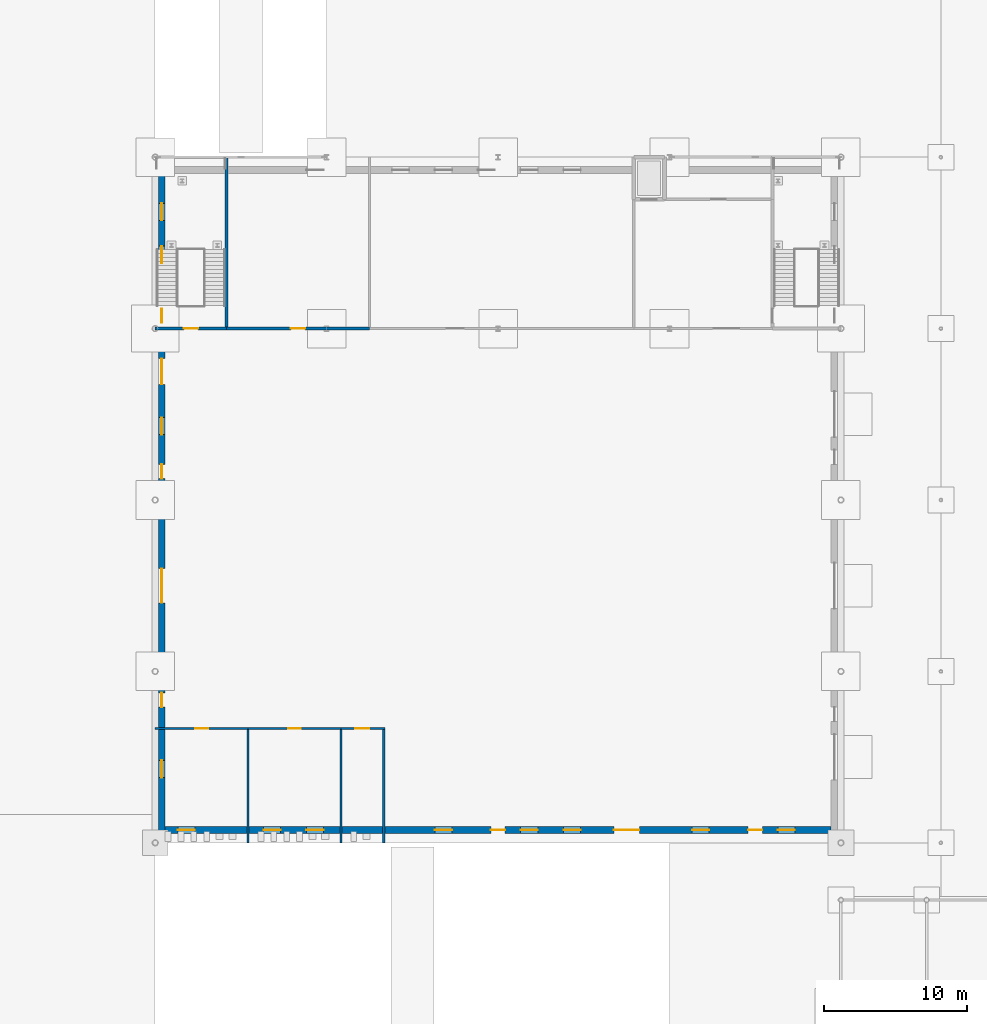
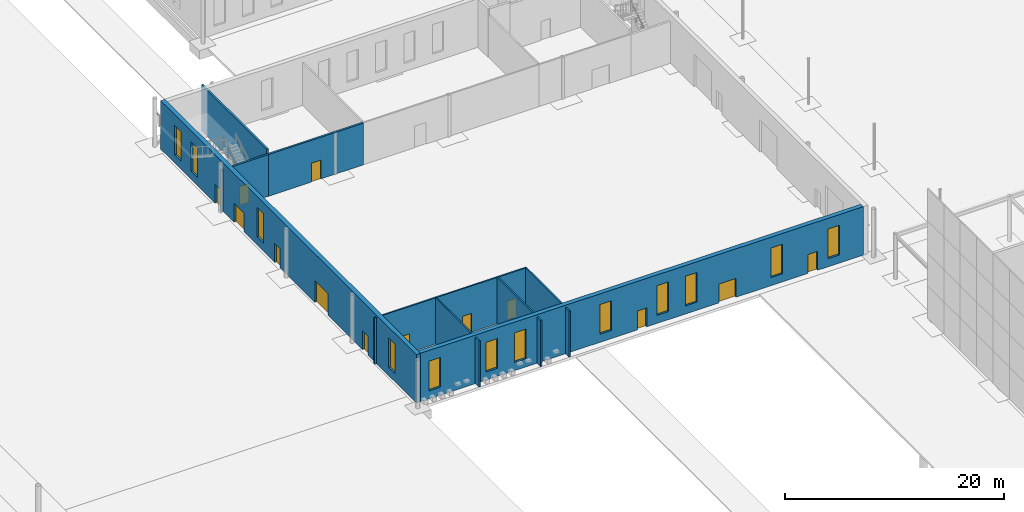
# One storey, part 68 of 132: 13 doors, 12 windows, 11 walls, 25 openings.
"""IFC4 building model written with IfcOpenShell, lengths in metres."""

from ifc_helpers import new_model, si_unit, direction, frame, frame_2d, origin, place, context, subcontext, project, spatial, rectangle, extrude, material, layer, layer_set, type_object, element, fill, save


model = new_model("IFC4")

# Units and contexts
model_context = context("Model", 3, precision=1e-05, world=origin(), true_north=direction((0.0, 1.0)))
body_context = subcontext(model_context, "Body", "Model", "MODEL_VIEW")
ifc_project = project(units=[si_unit("LENGTHUNIT", "METRE"), si_unit("AREAUNIT", "SQUARE_METRE"), si_unit("VOLUMEUNIT", "CUBIC_METRE"), si_unit("PLANEANGLEUNIT", "RADIAN"), si_unit("MASSUNIT", "GRAM", prefix="KILO")], contexts=[model_context])

# Site, building, storey
site_placement = place(None, origin())
site = spatial("IfcSite", under=ifc_project, at=site_placement, CompositionType="ELEMENT")
building_placement = place(site_placement, origin())
building = spatial("IfcBuilding", under=site, at=building_placement, Name="Ravi Spectrum Wholesale Market", CompositionType="ELEMENT")
storey_placement = place(building_placement, origin())
storey = spatial("IfcBuildingStorey", under=building, at=storey_placement, Name="L00", CompositionType="ELEMENT", Elevation=0.0)

# Wall, opening, door
ifc_material_1 = material(Name="Concrete blockwork", Category="masonry")
ifc_layer_1 = layer(ifc_material_1, 0.14990234375)
ifc_layer_set_1 = layer_set([ifc_layer_1], Name="Concrete blockwork")
wall_type_1 = type_object("IfcWallType", Name="Blockwork partition 150", PredefinedType="PARTITIONING", material=ifc_layer_set_1)
wall_1_placement = place(storey_placement, frame((150.0, 86.0, 0.0), z_axis=(0.0, 0.0, 1.0), x_axis=(1.0, 0.0, 0.0)))
wall_1 = element("IfcWall", 1, at=wall_1_placement, inside=storey, type_object=wall_type_1, Name="H2-WL-L00-005", PredefinedType="PARTITIONING", context=body_context, shape_type="SweptSolid", body=[
    extrude(rectangle(XDim=6.5, YDim=0.14990234375, at=frame_2d((3.25, 0.0))), origin(), (0.0, 0.0, 1.0), 5.14990234375),
])
opening_1_placement = place(wall_1_placement, frame((2.800048828125, 0.0, 0.0)))
opening_1 = element("IfcOpeningElement", 2, at=opening_1_placement, cuts=wall_1, Name="Opening D300", PredefinedType="OPENING", context=body_context, shape_type="SweptSolid", body=[
    extrude(rectangle(XDim=0.89990234375, YDim=2.10009765625, at=frame_2d((0.449951171875, 1.050048828125))), frame((0.0, 0.0849609375, 0.0), z_axis=(0.0, -1.0, 0.0), x_axis=(1.0, 0.0, 0.0)), (0.0, 0.0, 1.0), 0.169921875),
])
ifc_material_2 = material(Name="Timber door", Category="wood")
door_type_1 = type_object("IfcDoorType", Name="Toilet door 900 x 2100", OperationType="SINGLE_SWING_LEFT", PredefinedType="DOOR", material=ifc_material_2)
door_1_placement = place(opening_1_placement, origin())
door_1 = element("IfcDoor", 3, at=door_1_placement, inside=storey, type_object=door_type_1, Name="Door D300", OperationType="SINGLE_SWING_RIGHT", OverallHeight=2.10009765625, OverallWidth=0.89990234375, PredefinedType="DOOR", context=body_context, shape_type="SweptSolid", body=[
    extrude(rectangle(XDim=0.89990234375, YDim=2.10009765625, at=frame_2d((0.449951171875, 1.050048828125))), frame((0.0, 0.02490234375, 0.0), z_axis=(0.0, -1.0, 0.0), x_axis=(1.0, 0.0, 0.0)), (0.0, 0.0, 1.0), 0.050048828125),
])
fill(opening_1, door_1)

wall_2_placement = place(storey_placement, frame((156.5, 86.0, 0.0), z_axis=(0.0, 0.0, 1.0), x_axis=(1.0, 0.0, 0.0)))
wall_2 = element("IfcWall", 4, at=wall_2_placement, inside=storey, type_object=wall_type_1, Name="H2-WL-L00-006", PredefinedType="PARTITIONING", context=body_context, shape_type="SweptSolid", body=[
    extrude(rectangle(XDim=6.5, YDim=0.14990234375, at=frame_2d((3.25, 0.0))), origin(), (0.0, 0.0, 1.0), 5.14990234375),
])
opening_2_placement = place(wall_2_placement, frame((2.800048828125, 0.0, 0.0)))
opening_2 = element("IfcOpeningElement", 5, at=opening_2_placement, cuts=wall_2, Name="Opening D301", PredefinedType="OPENING", context=body_context, shape_type="SweptSolid", body=[
    extrude(rectangle(XDim=0.89990234375, YDim=2.10009765625, at=frame_2d((0.449951171875, 1.050048828125))), frame((0.0, 0.0849609375, 0.0), z_axis=(0.0, -1.0, 0.0), x_axis=(1.0, 0.0, 0.0)), (0.0, 0.0, 1.0), 0.169921875),
])
door_2_placement = place(opening_2_placement, origin())
door_2 = element("IfcDoor", 6, at=door_2_placement, inside=storey, type_object=door_type_1, Name="Door D301", OperationType="SINGLE_SWING_RIGHT", OverallHeight=2.10009765625, OverallWidth=0.89990234375, PredefinedType="DOOR", context=body_context, shape_type="SweptSolid", body=[
    extrude(rectangle(XDim=0.89990234375, YDim=2.10009765625, at=frame_2d((0.449951171875, 1.050048828125))), frame((0.0, 0.02490234375, 0.0), z_axis=(0.0, -1.0, 0.0), x_axis=(1.0, 0.0, 0.0)), (0.0, 0.0, 1.0), 0.050048828125),
])
fill(opening_2, door_2)

wall_3_placement = place(storey_placement, frame((163.0, 86.0, 0.0), z_axis=(0.0, 0.0, 1.0), x_axis=(1.0, 0.0, 0.0)))
wall_3 = element("IfcWall", 7, at=wall_3_placement, inside=storey, type_object=wall_type_1, Name="H2-WL-L00-007", PredefinedType="PARTITIONING", context=body_context, shape_type="SweptSolid", body=[
    extrude(rectangle(XDim=3.074951171875, YDim=0.14990234375, at=frame_2d((1.53759765625, 0.0))), origin(), (0.0, 0.0, 1.0), 5.14990234375),
])
opening_3_placement = place(wall_3_placement, frame((1.0, 0.0, 0.0)))
opening_3 = element("IfcOpeningElement", 8, at=opening_3_placement, cuts=wall_3, Name="Opening D302", PredefinedType="OPENING", context=body_context, shape_type="SweptSolid", body=[
    extrude(rectangle(XDim=1.0, YDim=2.10009765625, at=frame_2d((0.5, 1.050048828125))), frame((0.0, 0.0849609375, 0.0), z_axis=(0.0, -1.0, 0.0), x_axis=(1.0, 0.0, 0.0)), (0.0, 0.0, 1.0), 0.169921875),
])
ifc_material_3 = material(Name="Timber door", Category="wood")
door_type_2 = type_object("IfcDoorType", Name="Accessible toilet door 1000 x 2100", OperationType="SINGLE_SWING_LEFT", PredefinedType="DOOR", material=ifc_material_3)
door_3_placement = place(opening_3_placement, origin())
door_3 = element("IfcDoor", 9, at=door_3_placement, inside=storey, type_object=door_type_2, Name="Door D302", OperationType="SINGLE_SWING_RIGHT", OverallHeight=2.10009765625, OverallWidth=1.0, PredefinedType="DOOR", context=body_context, shape_type="SweptSolid", body=[
    extrude(rectangle(XDim=1.0, YDim=2.10009765625, at=frame_2d((0.5, 1.050048828125))), frame((0.0, 0.02490234375, 0.0), z_axis=(0.0, -1.0, 0.0), x_axis=(1.0, 0.0, 0.0)), (0.0, 0.0, 1.0), 0.050048828125),
])
fill(opening_3, door_3)

# Walls
for number, where, z_axis, x_axis, name in (
    (10, (156.5, 78.0, 0.0), (0.0, 0.0, 1.0), (0.0, 1.0, 0.0), "H2-WL-L00-015"),
    (11, (163.0, 78.0, 0.0), (0.0, 0.0, 1.0), (0.0, 1.0, 0.0), "H2-WL-L00-016"),
    (12, (166.0, 78.0, 0.0), (0.0, 0.0, 1.0), (0.0, 1.0, 0.0), "H2-WL-L00-018"),
):
    element("IfcWall", number, at=place(storey_placement, frame(where, z_axis=z_axis, x_axis=x_axis)), inside=storey, type_object=wall_type_1, Name=name, PredefinedType="PARTITIONING", context=body_context, shape_type="SweptSolid", body=[
        extrude(rectangle(XDim=7.925048828125, YDim=0.14990234375, at=frame_2d((3.96240234375, 0.0))), origin(), (0.0, 0.0, 1.0), 5.14990234375),
    ])

# Wall, opening, door
ifc_material_4 = material(Name="Concrete blockwork", Category="masonry")
ifc_layer_2 = layer(ifc_material_4, 0.199951171875)
ifc_layer_set_2 = layer_set([ifc_layer_2], Name="Concrete blockwork")
wall_type_2 = type_object("IfcWallType", Name="Blockwork partition 200 fire", PredefinedType="PARTITIONING", material=ifc_layer_set_2)
wall_4_placement = place(storey_placement, frame((150.0, 114.0, 0.0), z_axis=(0.0, 0.0, 1.0), x_axis=(1.0, 0.0, 0.0)))
wall_4 = element("IfcWall", 13, at=wall_4_placement, inside=storey, type_object=wall_type_2, Name="H2-WL-L00-008", PredefinedType="PARTITIONING", context=body_context, shape_type="SweptSolid", body=[
    extrude(rectangle(XDim=5.0, YDim=0.199951171875, at=frame_2d((2.5, 0.0))), origin(), (0.0, 0.0, 1.0), 4.64990234375),
])
opening_4_placement = place(wall_4_placement, frame((2.0, 0.0, 0.0)))
opening_4 = element("IfcOpeningElement", 14, at=opening_4_placement, cuts=wall_4, Name="Opening D304", PredefinedType="OPENING", context=body_context, shape_type="SweptSolid", body=[
    extrude(rectangle(XDim=1.0, YDim=2.10009765625, at=frame_2d((0.5, 1.050048828125))), frame((0.0, 0.10986328125, 0.0), z_axis=(0.0, -1.0, 0.0), x_axis=(1.0, 0.0, 0.0)), (0.0, 0.0, 1.0), 0.219970703125),
])
ifc_material_5 = material(Name="Steel door", Category="steel")
door_type_3 = type_object("IfcDoorType", Name="Stair door 1000 x 2100", OperationType="SINGLE_SWING_LEFT", PredefinedType="DOOR", material=ifc_material_5)
door_4_placement = place(opening_4_placement, origin())
door_4 = element("IfcDoor", 15, at=door_4_placement, inside=storey, type_object=door_type_3, Name="Door D304", OperationType="SINGLE_SWING_RIGHT", OverallHeight=2.10009765625, OverallWidth=1.0, PredefinedType="DOOR", context=body_context, shape_type="SweptSolid", body=[
    extrude(rectangle(XDim=1.0, YDim=2.10009765625, at=frame_2d((0.5, 1.050048828125))), frame((0.0, 0.02490234375, 0.0), z_axis=(0.0, -1.0, 0.0), x_axis=(1.0, 0.0, 0.0)), (0.0, 0.0, 1.0), 0.050048828125),
])
fill(opening_4, door_4)

wall_5_placement = place(storey_placement, frame((155.0, 114.0, 0.0), z_axis=(0.0, 0.0, 1.0), x_axis=(1.0, 0.0, 0.0)))
wall_5 = element("IfcWall", 16, at=wall_5_placement, inside=storey, type_object=wall_type_2, Name="H2-WL-L00-009", PredefinedType="PARTITIONING", context=body_context, shape_type="SweptSolid", body=[
    extrude(rectangle(XDim=10.0, YDim=0.199951171875, at=frame_2d((5.0, 0.0))), origin(), (0.0, 0.0, 1.0), 4.64990234375),
])
opening_5_placement = place(wall_5_placement, frame((4.5, 0.0, 0.0)))
opening_5 = element("IfcOpeningElement", 17, at=opening_5_placement, cuts=wall_5, Name="Opening D305", PredefinedType="OPENING", context=body_context, shape_type="SweptSolid", body=[
    extrude(rectangle(XDim=1.0, YDim=2.10009765625, at=frame_2d((0.5, 1.050048828125))), frame((0.0, 0.10986328125, 0.0), z_axis=(0.0, -1.0, 0.0), x_axis=(1.0, 0.0, 0.0)), (0.0, 0.0, 1.0), 0.219970703125),
])
ifc_material_6 = material(Name="Steel door", Category="steel")
door_type_4 = type_object("IfcDoorType", Name="Plant room door 1000 x 2100", OperationType="SINGLE_SWING_LEFT", PredefinedType="DOOR", material=ifc_material_6)
door_5_placement = place(opening_5_placement, origin())
door_5 = element("IfcDoor", 18, at=door_5_placement, inside=storey, type_object=door_type_4, Name="Door D305", OperationType="SINGLE_SWING_LEFT", OverallHeight=2.10009765625, OverallWidth=1.0, PredefinedType="DOOR", context=body_context, shape_type="SweptSolid", body=[
    extrude(rectangle(XDim=1.0, YDim=2.10009765625, at=frame_2d((0.5, 1.050048828125))), frame((0.0, 0.02490234375, 0.0), z_axis=(0.0, -1.0, 0.0), x_axis=(1.0, 0.0, 0.0)), (0.0, 0.0, 1.0), 0.050048828125),
])
fill(opening_5, door_5)

# Wall
wall_6_placement = place(storey_placement, frame((155.0, 114.10009765625, 0.0), z_axis=(0.0, 0.0, 1.0), x_axis=(0.0, 1.0, 0.0)))
element("IfcWall", 19, at=wall_6_placement, inside=storey, type_object=wall_type_2, Name="H2-WL-L00-014", PredefinedType="PARTITIONING", context=body_context, shape_type="SweptSolid", body=[
    extrude(rectangle(XDim=11.89990234375, YDim=0.199951171875, at=frame_2d((5.949951171875, 0.0))), origin(), (0.0, 0.0, 1.0), 5.14990234375),
])

# Wall, openings, doors, windows
ifc_material_7 = material(Name="Clinker brickwork", Category="masonry")
ifc_layer_3 = layer(ifc_material_7, 0.4599609375)
ifc_layer_set_3 = layer_set([ifc_layer_3], Name="Clinker brickwork")
wall_type_3 = type_object("IfcWallType", Name="Brick 460 pier wall", PredefinedType="SOLIDWALL", material=ifc_layer_set_3)
wall_7_placement = place(storey_placement, frame((150.68310546875, 78.89990234375, 0.0), z_axis=(0.0, 0.0, 1.0), x_axis=(1.0, 0.0, 0.0)))
wall_7 = element("IfcWall", 20, at=wall_7_placement, inside=storey, type_object=wall_type_3, Name="Fish Hall south wall", PredefinedType="SOLIDWALL", context=body_context, shape_type="SweptSolid", body=[
    extrude(rectangle(XDim=46.6337890625, YDim=0.4599609375, at=frame_2d((23.31689453125, 0.0))), origin(), (0.0, 0.0, 1.0), 5.39990234375),
])
opening_6_placement = place(wall_7_placement, frame((23.81689453125, 0.0, 0.0), z_axis=(0.0, 0.0, 1.0), x_axis=(-1.0, 0.0, 0.0)))
opening_6 = element("IfcOpeningElement", 21, at=opening_6_placement, cuts=wall_7, Name="Opening D319", PredefinedType="OPENING", context=body_context, shape_type="SweptSolid", body=[
    extrude(rectangle(XDim=1.0, YDim=2.10009765625, at=frame_2d((0.5, 1.050048828125))), frame((0.0, 0.239990234375, 0.0), z_axis=(0.0, -1.0, 0.0), x_axis=(1.0, 0.0, 0.0)), (0.0, 0.0, 1.0), 0.47998046875),
])
opening_7_placement = place(wall_7_placement, frame((41.81689453125, 0.0, 0.0), z_axis=(0.0, 0.0, 1.0), x_axis=(-1.0, 0.0, 0.0)))
opening_7 = element("IfcOpeningElement", 22, at=opening_7_placement, cuts=wall_7, Name="Opening D320", PredefinedType="OPENING", context=body_context, shape_type="SweptSolid", body=[
    extrude(rectangle(XDim=1.0, YDim=2.10009765625, at=frame_2d((0.5, 1.050048828125))), frame((0.0, 0.239990234375, 0.0), z_axis=(0.0, -1.0, 0.0), x_axis=(1.0, 0.0, 0.0)), (0.0, 0.0, 1.0), 0.47998046875),
])
opening_8_placement = place(wall_7_placement, frame((33.216796875, 0.0, 0.0), z_axis=(0.0, 0.0, 1.0), x_axis=(-1.0, 0.0, 0.0)))
opening_8 = element("IfcOpeningElement", 23, at=opening_8_placement, cuts=wall_7, Name="Opening D321", PredefinedType="OPENING", context=body_context, shape_type="SweptSolid", body=[
    extrude(rectangle(XDim=1.800048828125, YDim=2.10009765625, at=frame_2d((0.89990234375, 1.050048828125))), frame((0.0, 0.239990234375, 0.0), z_axis=(0.0, -1.0, 0.0), x_axis=(1.0, 0.0, 0.0)), (0.0, 0.0, 1.0), 0.47998046875),
])
opening_9_placement = place(wall_7_placement, frame((0.89990234375, 0.0, 0.89990234375)))
opening_9 = element("IfcOpeningElement", 24, at=opening_9_placement, cuts=wall_7, Name="Opening W2013", PredefinedType="OPENING", context=body_context, shape_type="SweptSolid", body=[
    extrude(rectangle(XDim=1.199951171875, YDim=3.300048828125, at=frame_2d((0.60009765625, 1.64990234375))), frame((0.0, 0.239990234375, 0.0), z_axis=(0.0, -1.0, 0.0), x_axis=(1.0, 0.0, 0.0)), (0.0, 0.0, 1.0), 0.47998046875),
])
opening_10_placement = place(wall_7_placement, frame((6.89990234375, 0.0, 0.89990234375)))
opening_10 = element("IfcOpeningElement", 25, at=opening_10_placement, cuts=wall_7, Name="Opening W2014", PredefinedType="OPENING", context=body_context, shape_type="SweptSolid", body=[
    extrude(rectangle(XDim=1.199951171875, YDim=3.300048828125, at=frame_2d((0.60009765625, 1.64990234375))), frame((0.0, 0.239990234375, 0.0), z_axis=(0.0, -1.0, 0.0), x_axis=(1.0, 0.0, 0.0)), (0.0, 0.0, 1.0), 0.47998046875),
])
opening_11_placement = place(wall_7_placement, frame((9.89990234375, 0.0, 0.89990234375)))
opening_11 = element("IfcOpeningElement", 26, at=opening_11_placement, cuts=wall_7, Name="Opening W2015", PredefinedType="OPENING", context=body_context, shape_type="SweptSolid", body=[
    extrude(rectangle(XDim=1.199951171875, YDim=3.300048828125, at=frame_2d((0.60009765625, 1.64990234375))), frame((0.0, 0.239990234375, 0.0), z_axis=(0.0, -1.0, 0.0), x_axis=(1.0, 0.0, 0.0)), (0.0, 0.0, 1.0), 0.47998046875),
])
opening_12_placement = place(wall_7_placement, frame((18.89990234375, 0.0, 0.89990234375)))
opening_12 = element("IfcOpeningElement", 27, at=opening_12_placement, cuts=wall_7, Name="Opening W2016", PredefinedType="OPENING", context=body_context, shape_type="SweptSolid", body=[
    extrude(rectangle(XDim=1.199951171875, YDim=3.300048828125, at=frame_2d((0.60009765625, 1.64990234375))), frame((0.0, 0.239990234375, 0.0), z_axis=(0.0, -1.0, 0.0), x_axis=(1.0, 0.0, 0.0)), (0.0, 0.0, 1.0), 0.47998046875),
])
opening_13_placement = place(wall_7_placement, frame((24.89990234375, 0.0, 0.89990234375)))
opening_13 = element("IfcOpeningElement", 28, at=opening_13_placement, cuts=wall_7, Name="Opening W2017", PredefinedType="OPENING", context=body_context, shape_type="SweptSolid", body=[
    extrude(rectangle(XDim=1.199951171875, YDim=3.300048828125, at=frame_2d((0.60009765625, 1.64990234375))), frame((0.0, 0.239990234375, 0.0), z_axis=(0.0, -1.0, 0.0), x_axis=(1.0, 0.0, 0.0)), (0.0, 0.0, 1.0), 0.47998046875),
])
opening_14_placement = place(wall_7_placement, frame((27.89990234375, 0.0, 0.89990234375)))
opening_14 = element("IfcOpeningElement", 29, at=opening_14_placement, cuts=wall_7, Name="Opening W2018", PredefinedType="OPENING", context=body_context, shape_type="SweptSolid", body=[
    extrude(rectangle(XDim=1.199951171875, YDim=3.300048828125, at=frame_2d((0.60009765625, 1.64990234375))), frame((0.0, 0.239990234375, 0.0), z_axis=(0.0, -1.0, 0.0), x_axis=(1.0, 0.0, 0.0)), (0.0, 0.0, 1.0), 0.47998046875),
])
opening_15_placement = place(wall_7_placement, frame((36.89990234375, 0.0, 0.89990234375)))
opening_15 = element("IfcOpeningElement", 30, at=opening_15_placement, cuts=wall_7, Name="Opening W2019", PredefinedType="OPENING", context=body_context, shape_type="SweptSolid", body=[
    extrude(rectangle(XDim=1.199951171875, YDim=3.300048828125, at=frame_2d((0.60009765625, 1.64990234375))), frame((0.0, 0.239990234375, 0.0), z_axis=(0.0, -1.0, 0.0), x_axis=(1.0, 0.0, 0.0)), (0.0, 0.0, 1.0), 0.47998046875),
])
opening_16_placement = place(wall_7_placement, frame((42.89990234375, 0.0, 0.89990234375)))
opening_16 = element("IfcOpeningElement", 31, at=opening_16_placement, cuts=wall_7, Name="Opening W2020", PredefinedType="OPENING", context=body_context, shape_type="SweptSolid", body=[
    extrude(rectangle(XDim=1.199951171875, YDim=3.300048828125, at=frame_2d((0.60009765625, 1.64990234375))), frame((0.0, 0.239990234375, 0.0), z_axis=(0.0, -1.0, 0.0), x_axis=(1.0, 0.0, 0.0)), (0.0, 0.0, 1.0), 0.47998046875),
])
ifc_material_8 = material(Name="Steel door", Category="steel")
door_type_5 = type_object("IfcDoorType", Name="Double leaf door 1800 x 2100", OperationType="DOUBLE_DOOR_SINGLE_SWING", PredefinedType="DOOR", material=ifc_material_8)
door_6_placement = place(opening_8_placement, origin())
door_6 = element("IfcDoor", 32, at=door_6_placement, inside=storey, type_object=door_type_5, Name="Door D321", OperationType="DOUBLE_DOOR_SINGLE_SWING", OverallHeight=2.10009765625, OverallWidth=1.800048828125, PredefinedType="DOOR", context=body_context, shape_type="SweptSolid", body=[
    extrude(rectangle(XDim=1.800048828125, YDim=2.10009765625, at=frame_2d((0.89990234375, 1.050048828125))), frame((0.0, 0.02490234375, 0.0), z_axis=(0.0, -1.0, 0.0), x_axis=(1.0, 0.0, 0.0)), (0.0, 0.0, 1.0), 0.050048828125),
])
fill(opening_8, door_6)
ifc_material_9 = material(Name="Steel door", Category="steel")
door_type_6 = type_object("IfcDoorType", Name="Pedestrian exit door 1000 x 2100", OperationType="SINGLE_SWING_LEFT", PredefinedType="DOOR", material=ifc_material_9)
door_7_placement = place(opening_6_placement, origin())
door_7 = element("IfcDoor", 33, at=door_7_placement, inside=storey, type_object=door_type_6, Name="Door D319", OperationType="SINGLE_SWING_RIGHT", OverallHeight=2.10009765625, OverallWidth=1.0, PredefinedType="DOOR", context=body_context, shape_type="SweptSolid", body=[
    extrude(rectangle(XDim=1.0, YDim=2.10009765625, at=frame_2d((0.5, 1.050048828125))), frame((0.0, 0.02490234375, 0.0), z_axis=(0.0, -1.0, 0.0), x_axis=(1.0, 0.0, 0.0)), (0.0, 0.0, 1.0), 0.050048828125),
])
fill(opening_6, door_7)
door_8_placement = place(opening_7_placement, origin())
door_8 = element("IfcDoor", 34, at=door_8_placement, inside=storey, type_object=door_type_6, Name="Door D320", OperationType="SINGLE_SWING_LEFT", OverallHeight=2.10009765625, OverallWidth=1.0, PredefinedType="DOOR", context=body_context, shape_type="SweptSolid", body=[
    extrude(rectangle(XDim=1.0, YDim=2.10009765625, at=frame_2d((0.5, 1.050048828125))), frame((0.0, 0.02490234375, 0.0), z_axis=(0.0, -1.0, 0.0), x_axis=(1.0, 0.0, 0.0)), (0.0, 0.0, 1.0), 0.050048828125),
])
fill(opening_7, door_8)
ifc_material_10 = material(Name="Steel window frame", Category="steel")
window_type = type_object("IfcWindowType", Name="Tall pier window 1200 x 3300", PartitioningType="SINGLE_PANEL", PredefinedType="WINDOW", material=ifc_material_10)
window_1_placement = place(opening_9_placement, origin())
window_1 = element("IfcWindow", 35, at=window_1_placement, inside=storey, type_object=window_type, Name="Window W2013", OverallHeight=3.300048828125, OverallWidth=1.199951171875, PartitioningType="SINGLE_PANEL", PredefinedType="WINDOW", context=body_context, shape_type="SweptSolid", body=[
    extrude(rectangle(XDim=1.199951171875, YDim=3.300048828125, at=frame_2d((0.60009765625, 1.64990234375))), frame((0.0, 0.030029296875, 0.0), z_axis=(0.0, -1.0, 0.0), x_axis=(1.0, 0.0, 0.0)), (0.0, 0.0, 1.0), 0.06005859375),
])
fill(opening_9, window_1)
window_2_placement = place(opening_10_placement, origin())
window_2 = element("IfcWindow", 36, at=window_2_placement, inside=storey, type_object=window_type, Name="Window W2014", OverallHeight=3.300048828125, OverallWidth=1.199951171875, PartitioningType="SINGLE_PANEL", PredefinedType="WINDOW", context=body_context, shape_type="SweptSolid", body=[
    extrude(rectangle(XDim=1.199951171875, YDim=3.300048828125, at=frame_2d((0.60009765625, 1.64990234375))), frame((0.0, 0.030029296875, 0.0), z_axis=(0.0, -1.0, 0.0), x_axis=(1.0, 0.0, 0.0)), (0.0, 0.0, 1.0), 0.06005859375),
])
fill(opening_10, window_2)
window_3_placement = place(opening_11_placement, origin())
window_3 = element("IfcWindow", 37, at=window_3_placement, inside=storey, type_object=window_type, Name="Window W2015", OverallHeight=3.300048828125, OverallWidth=1.199951171875, PartitioningType="SINGLE_PANEL", PredefinedType="WINDOW", context=body_context, shape_type="SweptSolid", body=[
    extrude(rectangle(XDim=1.199951171875, YDim=3.300048828125, at=frame_2d((0.60009765625, 1.64990234375))), frame((0.0, 0.030029296875, 0.0), z_axis=(0.0, -1.0, 0.0), x_axis=(1.0, 0.0, 0.0)), (0.0, 0.0, 1.0), 0.06005859375),
])
fill(opening_11, window_3)
window_4_placement = place(opening_12_placement, origin())
window_4 = element("IfcWindow", 38, at=window_4_placement, inside=storey, type_object=window_type, Name="Window W2016", OverallHeight=3.300048828125, OverallWidth=1.199951171875, PartitioningType="SINGLE_PANEL", PredefinedType="WINDOW", context=body_context, shape_type="SweptSolid", body=[
    extrude(rectangle(XDim=1.199951171875, YDim=3.300048828125, at=frame_2d((0.60009765625, 1.64990234375))), frame((0.0, 0.030029296875, 0.0), z_axis=(0.0, -1.0, 0.0), x_axis=(1.0, 0.0, 0.0)), (0.0, 0.0, 1.0), 0.06005859375),
])
fill(opening_12, window_4)
window_5_placement = place(opening_13_placement, origin())
window_5 = element("IfcWindow", 39, at=window_5_placement, inside=storey, type_object=window_type, Name="Window W2017", OverallHeight=3.300048828125, OverallWidth=1.199951171875, PartitioningType="SINGLE_PANEL", PredefinedType="WINDOW", context=body_context, shape_type="SweptSolid", body=[
    extrude(rectangle(XDim=1.199951171875, YDim=3.300048828125, at=frame_2d((0.60009765625, 1.64990234375))), frame((0.0, 0.030029296875, 0.0), z_axis=(0.0, -1.0, 0.0), x_axis=(1.0, 0.0, 0.0)), (0.0, 0.0, 1.0), 0.06005859375),
])
fill(opening_13, window_5)
window_6_placement = place(opening_14_placement, origin())
window_6 = element("IfcWindow", 40, at=window_6_placement, inside=storey, type_object=window_type, Name="Window W2018", OverallHeight=3.300048828125, OverallWidth=1.199951171875, PartitioningType="SINGLE_PANEL", PredefinedType="WINDOW", context=body_context, shape_type="SweptSolid", body=[
    extrude(rectangle(XDim=1.199951171875, YDim=3.300048828125, at=frame_2d((0.60009765625, 1.64990234375))), frame((0.0, 0.030029296875, 0.0), z_axis=(0.0, -1.0, 0.0), x_axis=(1.0, 0.0, 0.0)), (0.0, 0.0, 1.0), 0.06005859375),
])
fill(opening_14, window_6)
window_7_placement = place(opening_15_placement, origin())
window_7 = element("IfcWindow", 41, at=window_7_placement, inside=storey, type_object=window_type, Name="Window W2019", OverallHeight=3.300048828125, OverallWidth=1.199951171875, PartitioningType="SINGLE_PANEL", PredefinedType="WINDOW", context=body_context, shape_type="SweptSolid", body=[
    extrude(rectangle(XDim=1.199951171875, YDim=3.300048828125, at=frame_2d((0.60009765625, 1.64990234375))), frame((0.0, 0.030029296875, 0.0), z_axis=(0.0, -1.0, 0.0), x_axis=(1.0, 0.0, 0.0)), (0.0, 0.0, 1.0), 0.06005859375),
])
fill(opening_15, window_7)
window_8_placement = place(opening_16_placement, origin())
window_8 = element("IfcWindow", 42, at=window_8_placement, inside=storey, type_object=window_type, Name="Window W2020", OverallHeight=3.300048828125, OverallWidth=1.199951171875, PartitioningType="SINGLE_PANEL", PredefinedType="WINDOW", context=body_context, shape_type="SweptSolid", body=[
    extrude(rectangle(XDim=1.199951171875, YDim=3.300048828125, at=frame_2d((0.60009765625, 1.64990234375))), frame((0.0, 0.030029296875, 0.0), z_axis=(0.0, -1.0, 0.0), x_axis=(1.0, 0.0, 0.0)), (0.0, 0.0, 1.0), 0.06005859375),
])
fill(opening_16, window_8)

wall_8_placement = place(storey_placement, frame((150.453125, 78.669921875, 0.0), z_axis=(0.0, 0.0, 1.0), x_axis=(0.0, 1.0, 0.0)))
wall_8 = element("IfcWall", 43, at=wall_8_placement, inside=storey, type_object=wall_type_3, Name="Fish Hall west wall", PredefinedType="SOLIDWALL", context=body_context, shape_type="SweptSolid", body=[
    extrude(rectangle(XDim=46.66015625, YDim=0.4599609375, at=frame_2d((23.330078125, 0.0))), origin(), (0.0, 0.0, 1.0), 5.39990234375),
])
opening_17_placement = place(wall_8_placement, frame((35.72998046875, 0.0, 0.0)))
opening_17 = element("IfcOpeningElement", 44, at=opening_17_placement, cuts=wall_8, Name="Opening D303", PredefinedType="OPENING", context=body_context, shape_type="SweptSolid", body=[
    extrude(rectangle(XDim=1.0, YDim=2.10009765625, at=frame_2d((0.5, 1.050048828125))), frame((0.0, 0.239990234375, 0.0), z_axis=(0.0, -1.0, 0.0), x_axis=(1.0, 0.0, 0.0)), (0.0, 0.0, 1.0), 0.47998046875),
])
opening_18_placement = place(wall_8_placement, frame((16.1298828125, 0.0, 0.0)))
opening_18 = element("IfcOpeningElement", 45, at=opening_18_placement, cuts=wall_8, Name="Opening D316", PredefinedType="OPENING", context=body_context, shape_type="SweptSolid", body=[
    extrude(rectangle(XDim=2.39990234375, YDim=2.39990234375, at=frame_2d((1.199951171875, 1.199951171875))), frame((0.0, 0.239990234375, 0.0), z_axis=(0.0, -1.0, 0.0), x_axis=(1.0, 0.0, 0.0)), (0.0, 0.0, 1.0), 0.47998046875),
])
opening_19_placement = place(wall_8_placement, frame((8.830078125, 0.0, 0.0)))
opening_19 = element("IfcOpeningElement", 46, at=opening_19_placement, cuts=wall_8, Name="Opening D317", PredefinedType="OPENING", context=body_context, shape_type="SweptSolid", body=[
    extrude(rectangle(XDim=1.0, YDim=2.10009765625, at=frame_2d((0.5, 1.050048828125))), frame((0.0, 0.239990234375, 0.0), z_axis=(0.0, -1.0, 0.0), x_axis=(1.0, 0.0, 0.0)), (0.0, 0.0, 1.0), 0.47998046875),
])
opening_20_placement = place(wall_8_placement, frame((24.830078125, 0.0, 0.0)))
opening_20 = element("IfcOpeningElement", 47, at=opening_20_placement, cuts=wall_8, Name="Opening D318", PredefinedType="OPENING", context=body_context, shape_type="SweptSolid", body=[
    extrude(rectangle(XDim=1.0, YDim=2.10009765625, at=frame_2d((0.5, 1.050048828125))), frame((0.0, 0.239990234375, 0.0), z_axis=(0.0, -1.0, 0.0), x_axis=(1.0, 0.0, 0.0)), (0.0, 0.0, 1.0), 0.47998046875),
])
opening_21_placement = place(wall_8_placement, frame((31.429931640625, 0.0, 0.0)))
opening_21 = element("IfcOpeningElement", 48, at=opening_21_placement, cuts=wall_8, Name="Opening D322", PredefinedType="OPENING", context=body_context, shape_type="SweptSolid", body=[
    extrude(rectangle(XDim=1.800048828125, YDim=2.10009765625, at=frame_2d((0.89990234375, 1.050048828125))), frame((0.0, 0.239990234375, 0.0), z_axis=(0.0, -1.0, 0.0), x_axis=(1.0, 0.0, 0.0)), (0.0, 0.0, 1.0), 0.47998046875),
])
opening_22_placement = place(wall_8_placement, frame((3.89990234375, 0.0, 0.89990234375)))
opening_22 = element("IfcOpeningElement", 49, at=opening_22_placement, cuts=wall_8, Name="Opening W2001", PredefinedType="OPENING", context=body_context, shape_type="SweptSolid", body=[
    extrude(rectangle(XDim=1.199951171875, YDim=3.300048828125, at=frame_2d((0.60009765625, 1.64990234375))), frame((0.0, 0.239990234375, 0.0), z_axis=(0.0, -1.0, 0.0), x_axis=(1.0, 0.0, 0.0)), (0.0, 0.0, 1.0), 0.47998046875),
])
opening_23_placement = place(wall_8_placement, frame((27.89990234375, 0.0, 0.89990234375)))
opening_23 = element("IfcOpeningElement", 50, at=opening_23_placement, cuts=wall_8, Name="Opening W2004", PredefinedType="OPENING", context=body_context, shape_type="SweptSolid", body=[
    extrude(rectangle(XDim=1.199951171875, YDim=3.300048828125, at=frame_2d((0.60009765625, 1.64990234375))), frame((0.0, 0.239990234375, 0.0), z_axis=(0.0, -1.0, 0.0), x_axis=(1.0, 0.0, 0.0)), (0.0, 0.0, 1.0), 0.47998046875),
])
opening_24_placement = place(wall_8_placement, frame((39.89990234375, 0.0, 0.89990234375)))
opening_24 = element("IfcOpeningElement", 51, at=opening_24_placement, cuts=wall_8, Name="Opening W2005", PredefinedType="OPENING", context=body_context, shape_type="SweptSolid", body=[
    extrude(rectangle(XDim=1.199951171875, YDim=3.300048828125, at=frame_2d((0.60009765625, 1.64990234375))), frame((0.0, 0.239990234375, 0.0), z_axis=(0.0, -1.0, 0.0), x_axis=(1.0, 0.0, 0.0)), (0.0, 0.0, 1.0), 0.47998046875),
])
opening_25_placement = place(wall_8_placement, frame((42.89990234375, 0.0, 0.89990234375)))
opening_25 = element("IfcOpeningElement", 52, at=opening_25_placement, cuts=wall_8, Name="Opening W2006", PredefinedType="OPENING", context=body_context, shape_type="SweptSolid", body=[
    extrude(rectangle(XDim=1.199951171875, YDim=3.300048828125, at=frame_2d((0.60009765625, 1.64990234375))), frame((0.0, 0.239990234375, 0.0), z_axis=(0.0, -1.0, 0.0), x_axis=(1.0, 0.0, 0.0)), (0.0, 0.0, 1.0), 0.47998046875),
])
door_9_placement = place(opening_21_placement, origin())
door_9 = element("IfcDoor", 53, at=door_9_placement, inside=storey, type_object=door_type_5, Name="Door D322", OperationType="DOUBLE_DOOR_SINGLE_SWING", OverallHeight=2.10009765625, OverallWidth=1.800048828125, PredefinedType="DOOR", context=body_context, shape_type="SweptSolid", body=[
    extrude(rectangle(XDim=1.800048828125, YDim=2.10009765625, at=frame_2d((0.89990234375, 1.050048828125))), frame((0.0, 0.02490234375, 0.0), z_axis=(0.0, -1.0, 0.0), x_axis=(1.0, 0.0, 0.0)), (0.0, 0.0, 1.0), 0.050048828125),
])
fill(opening_21, door_9)
ifc_material_11 = material(Name="Aluminium glazed door", Category="aluminium")
door_type_7 = type_object("IfcDoorType", Name="Hall entrance sliding door 2400 x 2400", OperationType="SLIDING_TO_LEFT", PredefinedType="DOOR", material=ifc_material_11)
door_10_placement = place(opening_18_placement, origin())
door_10 = element("IfcDoor", 54, at=door_10_placement, inside=storey, type_object=door_type_7, Name="Door D316", OperationType="SLIDING_TO_LEFT", OverallHeight=2.39990234375, OverallWidth=2.39990234375, PredefinedType="DOOR", context=body_context, shape_type="SweptSolid", body=[
    extrude(rectangle(XDim=2.39990234375, YDim=2.39990234375, at=frame_2d((1.199951171875, 1.199951171875))), frame((0.0, 0.02490234375, 0.0), z_axis=(0.0, -1.0, 0.0), x_axis=(1.0, 0.0, 0.0)), (0.0, 0.0, 1.0), 0.050048828125),
])
fill(opening_18, door_10)
door_11_placement = place(opening_17_placement, origin())
door_11 = element("IfcDoor", 55, at=door_11_placement, inside=storey, type_object=door_type_6, Name="Door D303", OperationType="SINGLE_SWING_LEFT", OverallHeight=2.10009765625, OverallWidth=1.0, PredefinedType="DOOR", context=body_context, shape_type="SweptSolid", body=[
    extrude(rectangle(XDim=1.0, YDim=2.10009765625, at=frame_2d((0.5, 1.050048828125))), frame((0.0, 0.02490234375, 0.0), z_axis=(0.0, -1.0, 0.0), x_axis=(1.0, 0.0, 0.0)), (0.0, 0.0, 1.0), 0.050048828125),
])
fill(opening_17, door_11)
door_12_placement = place(opening_19_placement, origin())
door_12 = element("IfcDoor", 56, at=door_12_placement, inside=storey, type_object=door_type_6, Name="Door D317", OperationType="SINGLE_SWING_LEFT", OverallHeight=2.10009765625, OverallWidth=1.0, PredefinedType="DOOR", context=body_context, shape_type="SweptSolid", body=[
    extrude(rectangle(XDim=1.0, YDim=2.10009765625, at=frame_2d((0.5, 1.050048828125))), frame((0.0, 0.02490234375, 0.0), z_axis=(0.0, -1.0, 0.0), x_axis=(1.0, 0.0, 0.0)), (0.0, 0.0, 1.0), 0.050048828125),
])
fill(opening_19, door_12)
door_13_placement = place(opening_20_placement, origin())
door_13 = element("IfcDoor", 57, at=door_13_placement, inside=storey, type_object=door_type_6, Name="Door D318", OperationType="SINGLE_SWING_RIGHT", OverallHeight=2.10009765625, OverallWidth=1.0, PredefinedType="DOOR", context=body_context, shape_type="SweptSolid", body=[
    extrude(rectangle(XDim=1.0, YDim=2.10009765625, at=frame_2d((0.5, 1.050048828125))), frame((0.0, 0.02490234375, 0.0), z_axis=(0.0, -1.0, 0.0), x_axis=(1.0, 0.0, 0.0)), (0.0, 0.0, 1.0), 0.050048828125),
])
fill(opening_20, door_13)
window_9_placement = place(opening_22_placement, origin())
window_9 = element("IfcWindow", 58, at=window_9_placement, inside=storey, type_object=window_type, Name="Window W2001", OverallHeight=3.300048828125, OverallWidth=1.199951171875, PartitioningType="SINGLE_PANEL", PredefinedType="WINDOW", context=body_context, shape_type="SweptSolid", body=[
    extrude(rectangle(XDim=1.199951171875, YDim=3.300048828125, at=frame_2d((0.60009765625, 1.64990234375))), frame((0.0, 0.030029296875, 0.0), z_axis=(0.0, -1.0, 0.0), x_axis=(1.0, 0.0, 0.0)), (0.0, 0.0, 1.0), 0.06005859375),
])
fill(opening_22, window_9)
window_10_placement = place(opening_23_placement, origin())
window_10 = element("IfcWindow", 59, at=window_10_placement, inside=storey, type_object=window_type, Name="Window W2004", OverallHeight=3.300048828125, OverallWidth=1.199951171875, PartitioningType="SINGLE_PANEL", PredefinedType="WINDOW", context=body_context, shape_type="SweptSolid", body=[
    extrude(rectangle(XDim=1.199951171875, YDim=3.300048828125, at=frame_2d((0.60009765625, 1.64990234375))), frame((0.0, 0.030029296875, 0.0), z_axis=(0.0, -1.0, 0.0), x_axis=(1.0, 0.0, 0.0)), (0.0, 0.0, 1.0), 0.06005859375),
])
fill(opening_23, window_10)
window_11_placement = place(opening_24_placement, origin())
window_11 = element("IfcWindow", 60, at=window_11_placement, inside=storey, type_object=window_type, Name="Window W2005", OverallHeight=3.300048828125, OverallWidth=1.199951171875, PartitioningType="SINGLE_PANEL", PredefinedType="WINDOW", context=body_context, shape_type="SweptSolid", body=[
    extrude(rectangle(XDim=1.199951171875, YDim=3.300048828125, at=frame_2d((0.60009765625, 1.64990234375))), frame((0.0, 0.030029296875, 0.0), z_axis=(0.0, -1.0, 0.0), x_axis=(1.0, 0.0, 0.0)), (0.0, 0.0, 1.0), 0.06005859375),
])
fill(opening_24, window_11)
window_12_placement = place(opening_25_placement, origin())
window_12 = element("IfcWindow", 61, at=window_12_placement, inside=storey, type_object=window_type, Name="Window W2006", OverallHeight=3.300048828125, OverallWidth=1.199951171875, PartitioningType="SINGLE_PANEL", PredefinedType="WINDOW", context=body_context, shape_type="SweptSolid", body=[
    extrude(rectangle(XDim=1.199951171875, YDim=3.300048828125, at=frame_2d((0.60009765625, 1.64990234375))), frame((0.0, 0.030029296875, 0.0), z_axis=(0.0, -1.0, 0.0), x_axis=(1.0, 0.0, 0.0)), (0.0, 0.0, 1.0), 0.06005859375),
])
fill(opening_25, window_12)

save(model, "model.ifc")
